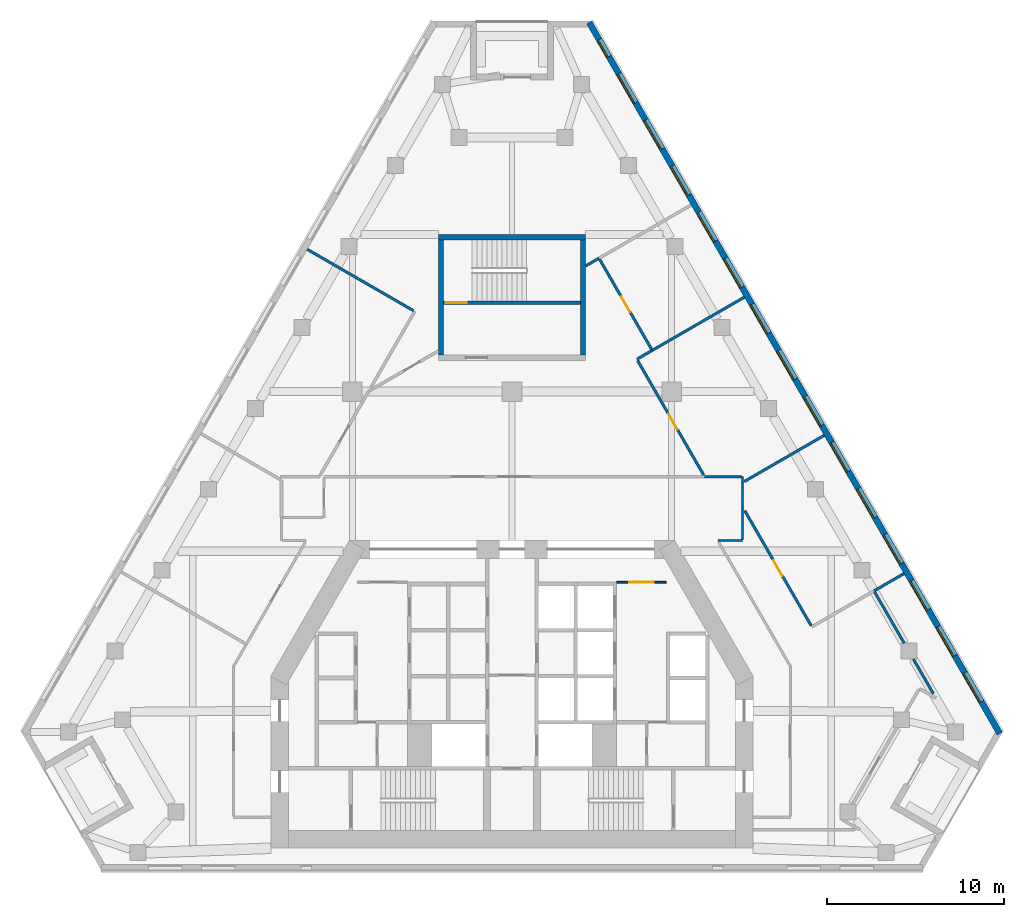
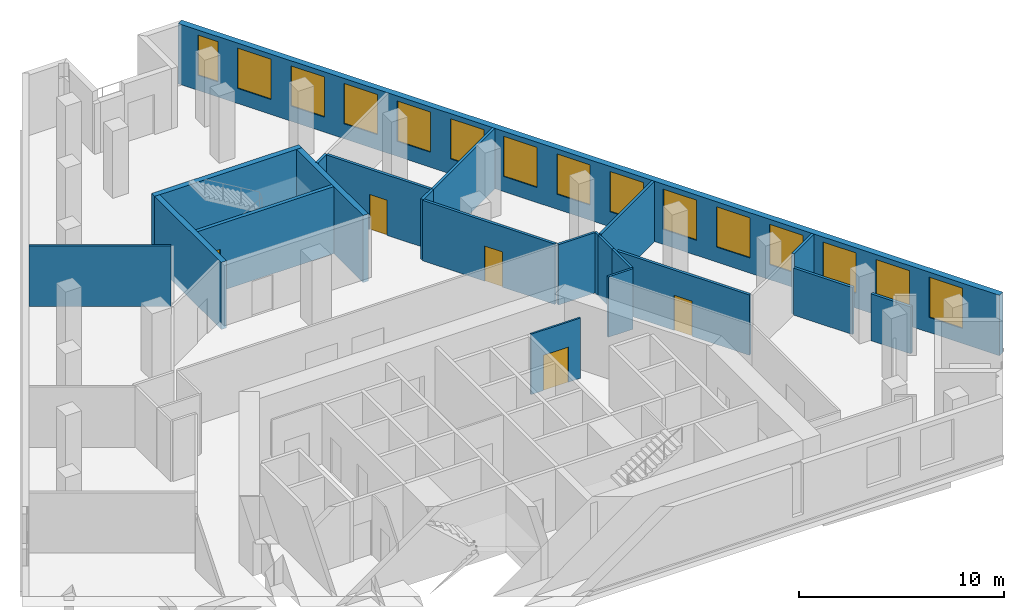
# One storey, part 7 of 9: 22 walls, 15 windows, 5 doors, 20 openings.
"""IFC4 building model written with IfcOpenShell, lengths in metres."""

from ifc_helpers import new_model, si_unit, direction, frame, frame_2d, origin, place, context, subcontext, project, spatial, rectangle, extrude, material, layer, layer_set, type_object, element, fill, save


model = new_model("IFC4")

# Units and contexts
model_context = context("Model", 3, precision=1e-05, world=origin(), true_north=direction((0.0, 1.0)))
body_context = subcontext(model_context, "Body", "Model", "MODEL_VIEW")
ifc_project = project(units=[si_unit("LENGTHUNIT", "METRE"), si_unit("AREAUNIT", "SQUARE_METRE"), si_unit("VOLUMEUNIT", "CUBIC_METRE"), si_unit("PLANEANGLEUNIT", "RADIAN"), si_unit("MASSUNIT", "GRAM", prefix="KILO")], contexts=[model_context])

# Site, building, storey
site_placement = place(None, origin())
site = spatial("IfcSite", under=ifc_project, at=site_placement, CompositionType="ELEMENT")
building_placement = place(site_placement, origin())
building = spatial("IfcBuilding", under=site, at=building_placement, Name="Fogline Exchange Tower", CompositionType="ELEMENT")
storey_placement = place(building_placement, frame((0.0, 0.0, 198.10009765625)))
storey = spatial("IfcBuildingStorey", under=building, at=storey_placement, Name="L44", CompositionType="ELEMENT", Elevation=198.10009765625)

# Wall, opening, door
ifc_material_1 = material(Name="Blockwork partition", Category="masonry")
ifc_layer_1 = layer(ifc_material_1, 0.10009765625)
ifc_layer_set_1 = layer_set([ifc_layer_1], Name="CW10")
wall_type_1 = type_object("IfcWallType", Name="CW10", PredefinedType="PARTITIONING", material=ifc_layer_set_1)
wall_1_placement = place(storey_placement, frame((5.89990234375, 16.25, 0.0), z_axis=(0.0, 0.0, 1.0), x_axis=(1.0, 0.0, 0.0)))
wall_1 = element("IfcWall", 1, at=wall_1_placement, inside=storey, type_object=wall_type_1, Name="Lift lobby partition", PredefinedType="PARTITIONING", context=body_context, shape_type="SweptSolid", body=[
    extrude(rectangle(XDim=2.800048828125, YDim=0.10009765625, at=frame_2d((1.39990234375, 0.0))), origin(), (0.0, 0.0, 1.0), 3.599853515625),
])
opening_1_placement = place(wall_1_placement, frame((0.699951171875, 0.0, 0.0)))
opening_1 = element("IfcOpeningElement", 2, at=opening_1_placement, cuts=wall_1, Name="Opening T14-C017", PredefinedType="OPENING", context=body_context, shape_type="SweptSolid", body=[
    extrude(rectangle(XDim=1.39990234375, YDim=2.10009765625, at=frame_2d((0.699951171875, 1.050048828125))), frame((0.0, 0.06005859375, 0.0), z_axis=(0.0, -1.0, 0.0), x_axis=(1.0, 0.0, 0.0)), (0.0, 0.0, 1.0), 0.1201171875),
])
ifc_material_2 = material(Name="Steel and timber fire door", Category="steel")
door_type_1 = type_object("IfcDoorType", Name="D-LB1", OperationType="DOUBLE_DOOR_SINGLE_SWING", PredefinedType="DOOR", material=ifc_material_2)
door_1_placement = place(opening_1_placement, origin())
door_1 = element("IfcDoor", 3, at=door_1_placement, inside=storey, type_object=door_type_1, Name="Door to lift lobby", OperationType="DOUBLE_DOOR_SINGLE_SWING", OverallHeight=2.10009765625, OverallWidth=1.39990234375, PredefinedType="DOOR", context=body_context, shape_type="SweptSolid", body=[
    extrude(rectangle(XDim=1.39990234375, YDim=2.10009765625, at=frame_2d((0.699951171875, 1.050048828125))), frame((0.0, 0.02490234375, 0.0), z_axis=(0.0, -1.0, 0.0), x_axis=(1.0, 0.0, 0.0)), (0.0, 0.0, 1.0), 0.050048828125),
])
fill(opening_1, door_1)

ifc_material_3 = material(Name="Concrete C40", Category="concrete")
ifc_layer_2 = layer(ifc_material_3, 0.199951171875)
ifc_layer_set_2 = layer_set([ifc_layer_2], Name="CW20R")
wall_type_2 = type_object("IfcWallType", Name="CW20R", PredefinedType="SOLIDWALL", material=ifc_layer_set_2)
wall_2_placement = place(storey_placement, frame((-3.85009765625, 32.007080078125, -0.400146484375), z_axis=(0.0, 0.0, 1.0), x_axis=(1.0, 0.0, 0.0)))
wall_2 = element("IfcWall", 4, at=wall_2_placement, inside=storey, type_object=wall_type_2, Name="Stair enclosure wall ST3", PredefinedType="SOLIDWALL", context=body_context, shape_type="SweptSolid", body=[
    extrude(rectangle(XDim=7.7001953125, YDim=0.199951171875, at=frame_2d((3.85009765625, 0.0))), origin(), (0.0, 0.0, 1.0), 4.0),
])
opening_2_placement = place(wall_2_placement, frame((0.10009765625, 0.0, 0.39990234375)))
opening_2 = element("IfcOpeningElement", 5, at=opening_2_placement, cuts=wall_2, Name="Opening T14-C028", PredefinedType="OPENING", context=body_context, shape_type="SweptSolid", body=[
    extrude(rectangle(XDim=1.199951171875, YDim=2.10009765625, at=frame_2d((0.60009765625, 1.050048828125))), frame((0.0, 0.10986328125, 0.0), z_axis=(0.0, -1.0, 0.0), x_axis=(1.0, 0.0, 0.0)), (0.0, 0.0, 1.0), 0.219970703125),
])
door_type_2 = type_object("IfcDoorType", Name="D-ST1", OperationType="SINGLE_SWING_LEFT", PredefinedType="DOOR", material=ifc_material_2)
door_2_placement = place(opening_2_placement, origin())
door_2 = element("IfcDoor", 6, at=door_2_placement, inside=storey, type_object=door_type_2, Name="Stair door ST3", OperationType="SINGLE_SWING_LEFT", OverallHeight=2.10009765625, OverallWidth=1.199951171875, PredefinedType="DOOR", context=body_context, shape_type="SweptSolid", body=[
    extrude(rectangle(XDim=1.199951171875, YDim=2.10009765625, at=frame_2d((0.60009765625, 1.050048828125))), frame((0.0, 0.02490234375, 0.0), z_axis=(0.0, -1.0, 0.0), x_axis=(1.0, 0.0, 0.0)), (0.0, 0.0, 1.0), 0.050048828125),
])
fill(opening_2, door_2)

# Walls
ifc_layer_3 = layer(ifc_material_3, 0.300048828125)
ifc_layer_set_3 = layer_set([ifc_layer_3], Name="CW30")
wall_type_3 = type_object("IfcWallType", Name="CW30", PredefinedType="SOLIDWALL", material=ifc_layer_set_3)
wall_3_placement = place(storey_placement, frame((-4.14990234375, 35.70703125, -0.400146484375), z_axis=(0.0, 0.0, 1.0), x_axis=(1.0, 0.0, 0.0)))
element("IfcWall", 7, at=wall_3_placement, inside=storey, type_object=wall_type_3, Name="Stair enclosure wall ST3", PredefinedType="SOLIDWALL", context=body_context, shape_type="SweptSolid", body=[
    extrude(rectangle(XDim=8.2998046875, YDim=0.300048828125, at=frame_2d((4.14990234375, 0.0))), origin(), (0.0, 0.0, 1.0), 4.0),
])
for number, where, z_axis, x_axis, name in (
    (8, (-4.0, 29.056884765625, -0.400146484375), (0.0, 0.0, 1.0), (0.0, 1.0, 0.0), "Stair enclosure wall ST3"),
    (9, (4.0, 29.056884765625, -0.400146484375), (0.0, 0.0, 1.0), (0.0, 1.0, 0.0), "Stair enclosure wall ST3"),
):
    element("IfcWall", number, at=place(storey_placement, frame(where, z_axis=z_axis, x_axis=x_axis)), inside=storey, type_object=wall_type_3, Name=name, PredefinedType="SOLIDWALL", context=body_context, shape_type="SweptSolid", body=[
        extrude(rectangle(XDim=6.5, YDim=0.300048828125, at=frame_2d((3.25, 0.0))), origin(), (0.0, 0.0, 1.0), 4.0),
    ])

# Wall, openings, windows
ifc_material_4 = material(Name="Brick masonry", Category="masonry")
ifc_layer_4 = layer(ifc_material_4, 0.340087890625)
ifc_layer_set_4 = layer_set([ifc_layer_4], Name="FW1")
wall_type_4 = type_object("IfcWallType", Name="FW1", PredefinedType="SOLIDWALL", material=ifc_layer_set_4)
wall_4_placement = place(storey_placement, frame((27.51171875, 7.709228515625, 0.0), z_axis=(0.0, 0.0, 1.0), x_axis=(-0.500001386688, 0.866024603178, 0.0)))
wall_4 = element("IfcWall", 10, at=wall_4_placement, inside=storey, type_object=wall_type_4, Name="Brick wall L44 E", PredefinedType="SOLIDWALL", context=body_context, shape_type="SweptSolid", body=[
    extrude(rectangle(XDim=46.317626953125, YDim=0.340087890625, at=frame_2d((23.15869140625, 0.0))), origin(), (0.0, 0.0, 1.0), 3.599853515625),
])
opening_3_placement = place(wall_4_placement, frame((2.079345703125, 0.0, 0.89990234375)))
opening_3 = element("IfcOpeningElement", 11, at=opening_3_placement, cuts=wall_4, Name="Opening W1", PredefinedType="OPENING", context=body_context, shape_type="SweptSolid", body=[
    extrude(rectangle(XDim=1.885009765625, YDim=2.39990234375, at=frame_2d((0.9423828125, 1.199951171875))), frame((0.0, 0.18017578125, 0.0), z_axis=(0.0, -1.0, 0.0), x_axis=(1.0, 0.0, 0.0)), (0.0, 0.0, 1.0), 0.360107421875),
])
opening_4_placement = place(wall_4_placement, frame((5.079345703125, 0.0, 0.89990234375)))
opening_4 = element("IfcOpeningElement", 12, at=opening_4_placement, cuts=wall_4, Name="Opening W1", PredefinedType="OPENING", context=body_context, shape_type="SweptSolid", body=[
    extrude(rectangle(XDim=1.885009765625, YDim=2.39990234375, at=frame_2d((0.9423828125, 1.199951171875))), frame((0.0, 0.18017578125, 0.0), z_axis=(0.0, -1.0, 0.0), x_axis=(1.0, 0.0, 0.0)), (0.0, 0.0, 1.0), 0.360107421875),
])
opening_5_placement = place(wall_4_placement, frame((8.079345703125, 0.0, 0.89990234375)))
opening_5 = element("IfcOpeningElement", 13, at=opening_5_placement, cuts=wall_4, Name="Opening W1", PredefinedType="OPENING", context=body_context, shape_type="SweptSolid", body=[
    extrude(rectangle(XDim=1.885009765625, YDim=2.39990234375, at=frame_2d((0.9423828125, 1.199951171875))), frame((0.0, 0.18017578125, 0.0), z_axis=(0.0, -1.0, 0.0), x_axis=(1.0, 0.0, 0.0)), (0.0, 0.0, 1.0), 0.360107421875),
])
opening_6_placement = place(wall_4_placement, frame((11.079345703125, 0.0, 0.89990234375)))
opening_6 = element("IfcOpeningElement", 14, at=opening_6_placement, cuts=wall_4, Name="Opening W1", PredefinedType="OPENING", context=body_context, shape_type="SweptSolid", body=[
    extrude(rectangle(XDim=1.885009765625, YDim=2.39990234375, at=frame_2d((0.9423828125, 1.199951171875))), frame((0.0, 0.18017578125, 0.0), z_axis=(0.0, -1.0, 0.0), x_axis=(1.0, 0.0, 0.0)), (0.0, 0.0, 1.0), 0.360107421875),
])
opening_7_placement = place(wall_4_placement, frame((14.079345703125, 0.0, 0.89990234375)))
opening_7 = element("IfcOpeningElement", 15, at=opening_7_placement, cuts=wall_4, Name="Opening W1", PredefinedType="OPENING", context=body_context, shape_type="SweptSolid", body=[
    extrude(rectangle(XDim=1.885009765625, YDim=2.39990234375, at=frame_2d((0.9423828125, 1.199951171875))), frame((0.0, 0.18017578125, 0.0), z_axis=(0.0, -1.0, 0.0), x_axis=(1.0, 0.0, 0.0)), (0.0, 0.0, 1.0), 0.360107421875),
])
opening_8_placement = place(wall_4_placement, frame((17.079345703125, 0.0, 0.89990234375)))
opening_8 = element("IfcOpeningElement", 16, at=opening_8_placement, cuts=wall_4, Name="Opening W1", PredefinedType="OPENING", context=body_context, shape_type="SweptSolid", body=[
    extrude(rectangle(XDim=1.885009765625, YDim=2.39990234375, at=frame_2d((0.9423828125, 1.199951171875))), frame((0.0, 0.18017578125, 0.0), z_axis=(0.0, -1.0, 0.0), x_axis=(1.0, 0.0, 0.0)), (0.0, 0.0, 1.0), 0.360107421875),
])
opening_9_placement = place(wall_4_placement, frame((20.079345703125, 0.0, 0.89990234375)))
opening_9 = element("IfcOpeningElement", 17, at=opening_9_placement, cuts=wall_4, Name="Opening W1", PredefinedType="OPENING", context=body_context, shape_type="SweptSolid", body=[
    extrude(rectangle(XDim=1.885009765625, YDim=2.39990234375, at=frame_2d((0.9423828125, 1.199951171875))), frame((0.0, 0.18017578125, 0.0), z_axis=(0.0, -1.0, 0.0), x_axis=(1.0, 0.0, 0.0)), (0.0, 0.0, 1.0), 0.360107421875),
])
opening_10_placement = place(wall_4_placement, frame((23.079345703125, 0.0, 0.89990234375)))
opening_10 = element("IfcOpeningElement", 18, at=opening_10_placement, cuts=wall_4, Name="Opening W1", PredefinedType="OPENING", context=body_context, shape_type="SweptSolid", body=[
    extrude(rectangle(XDim=1.885009765625, YDim=2.39990234375, at=frame_2d((0.9423828125, 1.199951171875))), frame((0.0, 0.18017578125, 0.0), z_axis=(0.0, -1.0, 0.0), x_axis=(1.0, 0.0, 0.0)), (0.0, 0.0, 1.0), 0.360107421875),
])
opening_11_placement = place(wall_4_placement, frame((26.079345703125, 0.0, 0.89990234375)))
opening_11 = element("IfcOpeningElement", 19, at=opening_11_placement, cuts=wall_4, Name="Opening W1", PredefinedType="OPENING", context=body_context, shape_type="SweptSolid", body=[
    extrude(rectangle(XDim=1.885009765625, YDim=2.39990234375, at=frame_2d((0.9423828125, 1.199951171875))), frame((0.0, 0.18017578125, 0.0), z_axis=(0.0, -1.0, 0.0), x_axis=(1.0, 0.0, 0.0)), (0.0, 0.0, 1.0), 0.360107421875),
])
opening_12_placement = place(wall_4_placement, frame((29.079345703125, 0.0, 0.89990234375)))
opening_12 = element("IfcOpeningElement", 20, at=opening_12_placement, cuts=wall_4, Name="Opening W1", PredefinedType="OPENING", context=body_context, shape_type="SweptSolid", body=[
    extrude(rectangle(XDim=1.885009765625, YDim=2.39990234375, at=frame_2d((0.9423828125, 1.199951171875))), frame((0.0, 0.18017578125, 0.0), z_axis=(0.0, -1.0, 0.0), x_axis=(1.0, 0.0, 0.0)), (0.0, 0.0, 1.0), 0.360107421875),
])
opening_13_placement = place(wall_4_placement, frame((32.079345703125, 0.0, 0.89990234375)))
opening_13 = element("IfcOpeningElement", 21, at=opening_13_placement, cuts=wall_4, Name="Opening W1", PredefinedType="OPENING", context=body_context, shape_type="SweptSolid", body=[
    extrude(rectangle(XDim=1.885009765625, YDim=2.39990234375, at=frame_2d((0.9423828125, 1.199951171875))), frame((0.0, 0.18017578125, 0.0), z_axis=(0.0, -1.0, 0.0), x_axis=(1.0, 0.0, 0.0)), (0.0, 0.0, 1.0), 0.360107421875),
])
opening_14_placement = place(wall_4_placement, frame((35.079345703125, 0.0, 0.89990234375)))
opening_14 = element("IfcOpeningElement", 22, at=opening_14_placement, cuts=wall_4, Name="Opening W1", PredefinedType="OPENING", context=body_context, shape_type="SweptSolid", body=[
    extrude(rectangle(XDim=1.885009765625, YDim=2.39990234375, at=frame_2d((0.9423828125, 1.199951171875))), frame((0.0, 0.18017578125, 0.0), z_axis=(0.0, -1.0, 0.0), x_axis=(1.0, 0.0, 0.0)), (0.0, 0.0, 1.0), 0.360107421875),
])
opening_15_placement = place(wall_4_placement, frame((38.079345703125, 0.0, 0.89990234375)))
opening_15 = element("IfcOpeningElement", 23, at=opening_15_placement, cuts=wall_4, Name="Opening W1", PredefinedType="OPENING", context=body_context, shape_type="SweptSolid", body=[
    extrude(rectangle(XDim=1.885009765625, YDim=2.39990234375, at=frame_2d((0.9423828125, 1.199951171875))), frame((0.0, 0.18017578125, 0.0), z_axis=(0.0, -1.0, 0.0), x_axis=(1.0, 0.0, 0.0)), (0.0, 0.0, 1.0), 0.360107421875),
])
opening_16_placement = place(wall_4_placement, frame((41.079345703125, 0.0, 0.89990234375)))
opening_16 = element("IfcOpeningElement", 24, at=opening_16_placement, cuts=wall_4, Name="Opening W1", PredefinedType="OPENING", context=body_context, shape_type="SweptSolid", body=[
    extrude(rectangle(XDim=1.885009765625, YDim=2.39990234375, at=frame_2d((0.9423828125, 1.199951171875))), frame((0.0, 0.18017578125, 0.0), z_axis=(0.0, -1.0, 0.0), x_axis=(1.0, 0.0, 0.0)), (0.0, 0.0, 1.0), 0.360107421875),
])
opening_17_placement = place(wall_4_placement, frame((44.083740234375, 0.0, 0.89990234375)))
opening_17 = element("IfcOpeningElement", 25, at=opening_17_placement, cuts=wall_4, Name="Opening W4", PredefinedType="OPENING", context=body_context, shape_type="SweptSolid", body=[
    extrude(rectangle(XDim=1.114990234375, YDim=2.39990234375, at=frame_2d((0.5576171875, 1.199951171875))), frame((0.0, 0.18017578125, 0.0), z_axis=(0.0, -1.0, 0.0), x_axis=(1.0, 0.0, 0.0)), (0.0, 0.0, 1.0), 0.360107421875),
])
ifc_material_5 = material(Name="Aluminium and glass", Category="aluminium")
window_type_1 = type_object("IfcWindowType", Name="W1", PartitioningType="SINGLE_PANEL", PredefinedType="WINDOW", material=ifc_material_5)
window_1_placement = place(opening_3_placement, origin())
window_1 = element("IfcWindow", 26, at=window_1_placement, inside=storey, type_object=window_type_1, Name="W1 W1", OverallHeight=2.39990234375, OverallWidth=1.885009765625, PartitioningType="SINGLE_PANEL", PredefinedType="WINDOW", context=body_context, shape_type="SweptSolid", body=[
    extrude(rectangle(XDim=1.885009765625, YDim=2.39990234375, at=frame_2d((0.9423828125, 1.199951171875))), frame((0.0, 0.110107421875, 0.0), z_axis=(0.0, -1.0, 0.0), x_axis=(1.0, 0.0, 0.0)), (0.0, 0.0, 1.0), 0.06005859375),
])
fill(opening_3, window_1)
window_2_placement = place(opening_4_placement, origin())
window_2 = element("IfcWindow", 27, at=window_2_placement, inside=storey, type_object=window_type_1, Name="W1 W1", OverallHeight=2.39990234375, OverallWidth=1.885009765625, PartitioningType="SINGLE_PANEL", PredefinedType="WINDOW", context=body_context, shape_type="SweptSolid", body=[
    extrude(rectangle(XDim=1.885009765625, YDim=2.39990234375, at=frame_2d((0.9423828125, 1.199951171875))), frame((0.0, 0.110107421875, 0.0), z_axis=(0.0, -1.0, 0.0), x_axis=(1.0, 0.0, 0.0)), (0.0, 0.0, 1.0), 0.06005859375),
])
fill(opening_4, window_2)
window_3_placement = place(opening_5_placement, origin())
window_3 = element("IfcWindow", 28, at=window_3_placement, inside=storey, type_object=window_type_1, Name="W1 W1", OverallHeight=2.39990234375, OverallWidth=1.885009765625, PartitioningType="SINGLE_PANEL", PredefinedType="WINDOW", context=body_context, shape_type="SweptSolid", body=[
    extrude(rectangle(XDim=1.885009765625, YDim=2.39990234375, at=frame_2d((0.9423828125, 1.199951171875))), frame((0.0, 0.110107421875, 0.0), z_axis=(0.0, -1.0, 0.0), x_axis=(1.0, 0.0, 0.0)), (0.0, 0.0, 1.0), 0.06005859375),
])
fill(opening_5, window_3)
window_4_placement = place(opening_6_placement, origin())
window_4 = element("IfcWindow", 29, at=window_4_placement, inside=storey, type_object=window_type_1, Name="W1 W1", OverallHeight=2.39990234375, OverallWidth=1.885009765625, PartitioningType="SINGLE_PANEL", PredefinedType="WINDOW", context=body_context, shape_type="SweptSolid", body=[
    extrude(rectangle(XDim=1.885009765625, YDim=2.39990234375, at=frame_2d((0.9423828125, 1.199951171875))), frame((0.0, 0.110107421875, 0.0), z_axis=(0.0, -1.0, 0.0), x_axis=(1.0, 0.0, 0.0)), (0.0, 0.0, 1.0), 0.06005859375),
])
fill(opening_6, window_4)
window_5_placement = place(opening_7_placement, origin())
window_5 = element("IfcWindow", 30, at=window_5_placement, inside=storey, type_object=window_type_1, Name="W1 W1", OverallHeight=2.39990234375, OverallWidth=1.885009765625, PartitioningType="SINGLE_PANEL", PredefinedType="WINDOW", context=body_context, shape_type="SweptSolid", body=[
    extrude(rectangle(XDim=1.885009765625, YDim=2.39990234375, at=frame_2d((0.9423828125, 1.199951171875))), frame((0.0, 0.110107421875, 0.0), z_axis=(0.0, -1.0, 0.0), x_axis=(1.0, 0.0, 0.0)), (0.0, 0.0, 1.0), 0.06005859375),
])
fill(opening_7, window_5)
window_6_placement = place(opening_8_placement, origin())
window_6 = element("IfcWindow", 31, at=window_6_placement, inside=storey, type_object=window_type_1, Name="W1 W1", OverallHeight=2.39990234375, OverallWidth=1.885009765625, PartitioningType="SINGLE_PANEL", PredefinedType="WINDOW", context=body_context, shape_type="SweptSolid", body=[
    extrude(rectangle(XDim=1.885009765625, YDim=2.39990234375, at=frame_2d((0.9423828125, 1.199951171875))), frame((0.0, 0.110107421875, 0.0), z_axis=(0.0, -1.0, 0.0), x_axis=(1.0, 0.0, 0.0)), (0.0, 0.0, 1.0), 0.06005859375),
])
fill(opening_8, window_6)
window_7_placement = place(opening_9_placement, origin())
window_7 = element("IfcWindow", 32, at=window_7_placement, inside=storey, type_object=window_type_1, Name="W1 W1", OverallHeight=2.39990234375, OverallWidth=1.885009765625, PartitioningType="SINGLE_PANEL", PredefinedType="WINDOW", context=body_context, shape_type="SweptSolid", body=[
    extrude(rectangle(XDim=1.885009765625, YDim=2.39990234375, at=frame_2d((0.9423828125, 1.199951171875))), frame((0.0, 0.110107421875, 0.0), z_axis=(0.0, -1.0, 0.0), x_axis=(1.0, 0.0, 0.0)), (0.0, 0.0, 1.0), 0.06005859375),
])
fill(opening_9, window_7)
window_8_placement = place(opening_10_placement, origin())
window_8 = element("IfcWindow", 33, at=window_8_placement, inside=storey, type_object=window_type_1, Name="W1 W1", OverallHeight=2.39990234375, OverallWidth=1.885009765625, PartitioningType="SINGLE_PANEL", PredefinedType="WINDOW", context=body_context, shape_type="SweptSolid", body=[
    extrude(rectangle(XDim=1.885009765625, YDim=2.39990234375, at=frame_2d((0.9423828125, 1.199951171875))), frame((0.0, 0.110107421875, 0.0), z_axis=(0.0, -1.0, 0.0), x_axis=(1.0, 0.0, 0.0)), (0.0, 0.0, 1.0), 0.06005859375),
])
fill(opening_10, window_8)
window_9_placement = place(opening_11_placement, origin())
window_9 = element("IfcWindow", 34, at=window_9_placement, inside=storey, type_object=window_type_1, Name="W1 W1", OverallHeight=2.39990234375, OverallWidth=1.885009765625, PartitioningType="SINGLE_PANEL", PredefinedType="WINDOW", context=body_context, shape_type="SweptSolid", body=[
    extrude(rectangle(XDim=1.885009765625, YDim=2.39990234375, at=frame_2d((0.9423828125, 1.199951171875))), frame((0.0, 0.110107421875, 0.0), z_axis=(0.0, -1.0, 0.0), x_axis=(1.0, 0.0, 0.0)), (0.0, 0.0, 1.0), 0.06005859375),
])
fill(opening_11, window_9)
window_10_placement = place(opening_12_placement, origin())
window_10 = element("IfcWindow", 35, at=window_10_placement, inside=storey, type_object=window_type_1, Name="W1 W1", OverallHeight=2.39990234375, OverallWidth=1.885009765625, PartitioningType="SINGLE_PANEL", PredefinedType="WINDOW", context=body_context, shape_type="SweptSolid", body=[
    extrude(rectangle(XDim=1.885009765625, YDim=2.39990234375, at=frame_2d((0.9423828125, 1.199951171875))), frame((0.0, 0.110107421875, 0.0), z_axis=(0.0, -1.0, 0.0), x_axis=(1.0, 0.0, 0.0)), (0.0, 0.0, 1.0), 0.06005859375),
])
fill(opening_12, window_10)
window_11_placement = place(opening_13_placement, origin())
window_11 = element("IfcWindow", 36, at=window_11_placement, inside=storey, type_object=window_type_1, Name="W1 W1", OverallHeight=2.39990234375, OverallWidth=1.885009765625, PartitioningType="SINGLE_PANEL", PredefinedType="WINDOW", context=body_context, shape_type="SweptSolid", body=[
    extrude(rectangle(XDim=1.885009765625, YDim=2.39990234375, at=frame_2d((0.9423828125, 1.199951171875))), frame((0.0, 0.110107421875, 0.0), z_axis=(0.0, -1.0, 0.0), x_axis=(1.0, 0.0, 0.0)), (0.0, 0.0, 1.0), 0.06005859375),
])
fill(opening_13, window_11)
window_12_placement = place(opening_14_placement, origin())
window_12 = element("IfcWindow", 37, at=window_12_placement, inside=storey, type_object=window_type_1, Name="W1 W1", OverallHeight=2.39990234375, OverallWidth=1.885009765625, PartitioningType="SINGLE_PANEL", PredefinedType="WINDOW", context=body_context, shape_type="SweptSolid", body=[
    extrude(rectangle(XDim=1.885009765625, YDim=2.39990234375, at=frame_2d((0.9423828125, 1.199951171875))), frame((0.0, 0.110107421875, 0.0), z_axis=(0.0, -1.0, 0.0), x_axis=(1.0, 0.0, 0.0)), (0.0, 0.0, 1.0), 0.06005859375),
])
fill(opening_14, window_12)
window_13_placement = place(opening_15_placement, origin())
window_13 = element("IfcWindow", 38, at=window_13_placement, inside=storey, type_object=window_type_1, Name="W1 W1", OverallHeight=2.39990234375, OverallWidth=1.885009765625, PartitioningType="SINGLE_PANEL", PredefinedType="WINDOW", context=body_context, shape_type="SweptSolid", body=[
    extrude(rectangle(XDim=1.885009765625, YDim=2.39990234375, at=frame_2d((0.9423828125, 1.199951171875))), frame((0.0, 0.110107421875, 0.0), z_axis=(0.0, -1.0, 0.0), x_axis=(1.0, 0.0, 0.0)), (0.0, 0.0, 1.0), 0.06005859375),
])
fill(opening_15, window_13)
window_14_placement = place(opening_16_placement, origin())
window_14 = element("IfcWindow", 39, at=window_14_placement, inside=storey, type_object=window_type_1, Name="W1 W1", OverallHeight=2.39990234375, OverallWidth=1.885009765625, PartitioningType="SINGLE_PANEL", PredefinedType="WINDOW", context=body_context, shape_type="SweptSolid", body=[
    extrude(rectangle(XDim=1.885009765625, YDim=2.39990234375, at=frame_2d((0.9423828125, 1.199951171875))), frame((0.0, 0.110107421875, 0.0), z_axis=(0.0, -1.0, 0.0), x_axis=(1.0, 0.0, 0.0)), (0.0, 0.0, 1.0), 0.06005859375),
])
fill(opening_16, window_14)
window_type_2 = type_object("IfcWindowType", Name="W4", PartitioningType="SINGLE_PANEL", PredefinedType="WINDOW", material=ifc_material_5)
window_15_placement = place(opening_17_placement, origin())
window_15 = element("IfcWindow", 40, at=window_15_placement, inside=storey, type_object=window_type_2, Name="W4 W4", OverallHeight=2.39990234375, OverallWidth=1.114990234375, PartitioningType="SINGLE_PANEL", PredefinedType="WINDOW", context=body_context, shape_type="SweptSolid", body=[
    extrude(rectangle(XDim=1.114990234375, YDim=2.39990234375, at=frame_2d((0.5576171875, 1.199951171875))), frame((0.0, 0.110107421875, 0.0), z_axis=(0.0, -1.0, 0.0), x_axis=(1.0, 0.0, 0.0)), (0.0, 0.0, 1.0), 0.06005859375),
])
fill(opening_17, window_15)

# Walls
ifc_material_6 = material(Name="Plasterboard corridor partition with mineral wool, 2 layers each side")
ifc_layer_5 = layer(ifc_material_6, 0.125)
ifc_layer_set_5 = layer_set([ifc_layer_5], Name="PW2")
wall_type_5 = type_object("IfcWallType", Name="PW2", PredefinedType="PARTITIONING", material=ifc_layer_set_5)
wall_5_placement = place(storey_placement, frame((13.0, 21.872802734375, 0.0), z_axis=(0.0, 0.0, 1.0), x_axis=(0.0, -1.0, 0.0)))
element("IfcWall", 41, at=wall_5_placement, inside=storey, type_object=wall_type_5, Name="wall-L44-W004", PredefinedType="PARTITIONING", context=body_context, shape_type="SweptSolid", body=[
    extrude(rectangle(XDim=1.36865234375, YDim=0.125, at=frame_2d((0.684326171875, 0.0))), origin(), (0.0, 0.0, 1.0), 3.599853515625),
])
wall_6_placement = place(storey_placement, frame((10.8662109375, 22.199951171875, 0.0), z_axis=(0.0, 0.0, 1.0), x_axis=(1.0, 0.0, 0.0)))
element("IfcWall", 42, at=wall_6_placement, inside=storey, type_object=wall_type_5, Name="wall-L44-W005", PredefinedType="PARTITIONING", context=body_context, shape_type="SweptSolid", body=[
    extrude(rectangle(XDim=2.0712890625, YDim=0.125, at=frame_2d((1.03564453125, 0.0))), origin(), (0.0, 0.0, 1.0), 3.599853515625),
])
wall_7_placement = place(storey_placement, frame((13.0, 22.199951171875, 0.0), z_axis=(0.0, 0.0, 1.0), x_axis=(0.0, -1.0, 0.0)))
element("IfcWall", 43, at=wall_7_placement, inside=storey, type_object=wall_type_5, Name="wall-L44-W006", PredefinedType="PARTITIONING", context=body_context, shape_type="SweptSolid", body=[
    extrude(rectangle(XDim=0.3271484375, YDim=0.125, at=frame_2d((0.16357421875, 0.0))), origin(), (0.0, 0.0, 1.0), 3.599853515625),
])
wall_8_placement = place(storey_placement, frame((13.0, 20.504150390625, 0.0), z_axis=(0.0, 0.0, 1.0), x_axis=(0.0, -1.0, 0.0)))
element("IfcWall", 44, at=wall_8_placement, inside=storey, type_object=wall_type_5, Name="wall-L44-W012", PredefinedType="PARTITIONING", context=body_context, shape_type="SweptSolid", body=[
    extrude(rectangle(XDim=1.841552734375, YDim=0.125, at=frame_2d((0.9208984375, 0.0))), origin(), (0.0, 0.0, 1.0), 3.599853515625),
])
wall_9_placement = place(storey_placement, frame((13.0, 18.60009765625, 0.0), z_axis=(0.0, 0.0, 1.0), x_axis=(-1.0, 0.0, 0.0)))
element("IfcWall", 45, at=wall_9_placement, inside=storey, type_object=wall_type_5, Name="wall-L44-W013", PredefinedType="PARTITIONING", context=body_context, shape_type="SweptSolid", body=[
    extrude(rectangle(XDim=1.39453125, YDim=0.125, at=frame_2d((0.697265625, 0.0))), origin(), (0.0, 0.0, 1.0), 3.599853515625),
])
ifc_material_7 = material(Name="Plasterboard demising partition with mineral wool and acoustic board")
ifc_layer_6 = layer(ifc_material_7, 0.14990234375)
ifc_layer_set_6 = layer_set([ifc_layer_6], Name="PW3")
wall_type_6 = type_object("IfcWallType", Name="PW3", PredefinedType="PARTITIONING", material=ifc_layer_set_6)
wall_10_placement = place(storey_placement, frame((13.100341796875, 21.930908203125, 0.0), z_axis=(0.0, 0.0, 1.0), x_axis=(0.866029992723, 0.499992051641, 0.0)))
element("IfcWall", 46, at=wall_10_placement, inside=storey, type_object=wall_type_6, Name="wall-L44-W018", PredefinedType="PARTITIONING", context=body_context, shape_type="SweptSolid", body=[
    extrude(rectangle(XDim=5.19970703125, YDim=0.14990234375, at=frame_2d((2.599853515625, 0.0))), origin(), (0.0, 0.0, 1.0), 3.599853515625),
])
wall_11_placement = place(storey_placement, frame((22.103515625, 16.736572265625, 0.0), z_axis=(0.0, 0.0, 1.0), x_axis=(-0.866000020948, -0.500043961785, 0.0)))
element("IfcWall", 47, at=wall_11_placement, inside=storey, type_object=wall_type_6, Name="wall-L44-W019", PredefinedType="PARTITIONING", context=body_context, shape_type="SweptSolid", body=[
    extrude(rectangle(XDim=1.949951171875, YDim=0.14990234375, at=frame_2d((0.97509765625, 0.0))), origin(), (0.0, 0.0, 1.0), 3.599853515625),
])

# Wall, opening, door
wall_12_placement = place(storey_placement, frame((16.869873046875, 13.801513671875, 0.0), z_axis=(0.0, 0.0, 1.0), x_axis=(-0.499998231264, 0.866026424962, 0.0)))
wall_12 = element("IfcWall", 48, at=wall_12_placement, inside=storey, type_object=wall_type_6, Name="wall-L44-W021", PredefinedType="PARTITIONING", context=body_context, shape_type="SweptSolid", body=[
    extrude(rectangle(XDim=7.484375, YDim=0.14990234375, at=frame_2d((3.7421875, 0.0))), origin(), (0.0, 0.0, 1.0), 3.599853515625),
])
opening_18_placement = place(wall_12_placement, frame((3.2421875, 0.0, 0.0)))
opening_18 = element("IfcOpeningElement", 49, at=opening_18_placement, cuts=wall_12, Name="Opening T14-D007", PredefinedType="OPENING", context=body_context, shape_type="SweptSolid", body=[
    extrude(rectangle(XDim=1.0, YDim=2.10009765625, at=frame_2d((0.5, 1.050048828125))), frame((0.0, 0.0849609375, 0.0), z_axis=(0.0, -1.0, 0.0), x_axis=(1.0, 0.0, 0.0)), (0.0, 0.0, 1.0), 0.169921875),
])
ifc_material_8 = material(Name="Fire-rated timber door leaf with steel frame", Category="steel")
door_type_3 = type_object("IfcDoorType", Name="D3", OperationType="SINGLE_SWING_LEFT", PredefinedType="DOOR", material=ifc_material_8)
door_3_placement = place(opening_18_placement, frame((1.0, 0.0, 0.0), z_axis=(0.0, 0.0, 1.0), x_axis=(-1.0, 0.0, 0.0)))
door_3 = element("IfcDoor", 50, at=door_3_placement, inside=storey, type_object=door_type_3, Name="door-L44-D007", OperationType="SINGLE_SWING_RIGHT", OverallHeight=2.10009765625, OverallWidth=1.0, PredefinedType="DOOR", context=body_context, shape_type="SweptSolid", body=[
    extrude(rectangle(XDim=1.0, YDim=2.10009765625, at=frame_2d((0.5, 1.050048828125))), frame((0.0, 0.02490234375, 0.0), z_axis=(0.0, -1.0, 0.0), x_axis=(1.0, 0.0, 0.0)), (0.0, 0.0, 1.0), 0.050048828125),
])
fill(opening_18, door_3)

# Wall
wall_13_placement = place(storey_placement, frame((7.9072265625, 29.324951171875, 0.0), z_axis=(0.0, 0.0, 1.0), x_axis=(0.866031096941, 0.499990139034, 0.0)))
element("IfcWall", 51, at=wall_13_placement, inside=storey, type_object=wall_type_6, Name="wall-L44-W022", PredefinedType="PARTITIONING", context=body_context, shape_type="SweptSolid", body=[
    extrude(rectangle(XDim=6.0, YDim=0.14990234375, at=frame_2d((3.0, 0.0))), origin(), (0.0, 0.0, 1.0), 3.599853515625),
])

# Wall, opening, door
wall_14_placement = place(storey_placement, frame((10.80810546875, 22.30029296875, 0.0), z_axis=(0.0, 0.0, 1.0), x_axis=(-0.499972731866, 0.866041146477, 0.0)))
wall_14 = element("IfcWall", 52, at=wall_14_placement, inside=storey, type_object=wall_type_6, Name="wall-L44-W023", PredefinedType="PARTITIONING", context=body_context, shape_type="SweptSolid", body=[
    extrude(rectangle(XDim=7.458984375, YDim=0.14990234375, at=frame_2d((3.7294921875, 0.0))), origin(), (0.0, 0.0, 1.0), 3.599853515625),
])
opening_19_placement = place(wall_14_placement, frame((2.95849609375, 0.0, 0.0)))
opening_19 = element("IfcOpeningElement", 53, at=opening_19_placement, cuts=wall_14, Name="Opening T14-D008", PredefinedType="OPENING", context=body_context, shape_type="SweptSolid", body=[
    extrude(rectangle(XDim=1.0, YDim=2.10009765625, at=frame_2d((0.5, 1.050048828125))), frame((0.0, 0.0849609375, 0.0), z_axis=(0.0, -1.0, 0.0), x_axis=(1.0, 0.0, 0.0)), (0.0, 0.0, 1.0), 0.169921875),
])
door_4_placement = place(opening_19_placement, frame((1.0, 0.0, 0.0), z_axis=(0.0, 0.0, 1.0), x_axis=(-1.0, 0.0, 0.0)))
door_4 = element("IfcDoor", 54, at=door_4_placement, inside=storey, type_object=door_type_3, Name="door-L44-D008", OperationType="SINGLE_SWING_RIGHT", OverallHeight=2.10009765625, OverallWidth=1.0, PredefinedType="DOOR", context=body_context, shape_type="SweptSolid", body=[
    extrude(rectangle(XDim=1.0, YDim=2.10009765625, at=frame_2d((0.5, 1.050048828125))), frame((0.0, 0.02490234375, 0.0), z_axis=(0.0, -1.0, 0.0), x_axis=(1.0, 0.0, 0.0)), (0.0, 0.0, 1.0), 0.050048828125),
])
fill(opening_19, door_4)

# Wall
wall_15_placement = place(storey_placement, frame((7.041259765625, 28.824951171875, 0.0), z_axis=(0.0, 0.0, 1.0), x_axis=(0.866010750942, 0.50002537861, 0.0)))
element("IfcWall", 55, at=wall_15_placement, inside=storey, type_object=wall_type_6, Name="wall-L44-W024", PredefinedType="PARTITIONING", context=body_context, shape_type="SweptSolid", body=[
    extrude(rectangle(XDim=1.0, YDim=0.14990234375, at=frame_2d((0.5, 0.0))), origin(), (0.0, 0.0, 1.0), 3.599853515625),
])

# Wall, opening, door
wall_16_placement = place(storey_placement, frame((7.869873046875, 29.389892578125, 0.0), z_axis=(0.0, 0.0, 1.0), x_axis=(-0.500012662943, 0.866018092707, 0.0)))
wall_16 = element("IfcWall", 56, at=wall_16_placement, inside=storey, type_object=wall_type_6, Name="wall-L44-W025", PredefinedType="PARTITIONING", context=body_context, shape_type="SweptSolid", body=[
    extrude(rectangle(XDim=5.849853515625, YDim=0.14990234375, at=frame_2d((2.9248046875, 0.0))), origin(), (0.0, 0.0, 1.0), 3.599853515625),
])
opening_20_placement = place(wall_16_placement, frame((2.425048828125, 0.0, 0.0)))
opening_20 = element("IfcOpeningElement", 57, at=opening_20_placement, cuts=wall_16, Name="Opening T14-D009", PredefinedType="OPENING", context=body_context, shape_type="SweptSolid", body=[
    extrude(rectangle(XDim=1.0, YDim=2.10009765625, at=frame_2d((0.5, 1.050048828125))), frame((0.0, 0.0849609375, 0.0), z_axis=(0.0, -1.0, 0.0), x_axis=(1.0, 0.0, 0.0)), (0.0, 0.0, 1.0), 0.169921875),
])
door_5_placement = place(opening_20_placement, frame((1.0, 0.0, 0.0), z_axis=(0.0, 0.0, 1.0), x_axis=(-1.0, 0.0, 0.0)))
door_5 = element("IfcDoor", 58, at=door_5_placement, inside=storey, type_object=door_type_3, Name="door-L44-D009", OperationType="SINGLE_SWING_RIGHT", OverallHeight=2.10009765625, OverallWidth=1.0, PredefinedType="DOOR", context=body_context, shape_type="SweptSolid", body=[
    extrude(rectangle(XDim=1.0, YDim=2.10009765625, at=frame_2d((0.5, 1.050048828125))), frame((0.0, 0.02490234375, 0.0), z_axis=(0.0, -1.0, 0.0), x_axis=(1.0, 0.0, 0.0)), (0.0, 0.0, 1.0), 0.050048828125),
])
fill(opening_20, door_5)

# Walls
wall_17_placement = place(storey_placement, frame((4.14990234375, 34.083984375, 0.0), z_axis=(0.0, 0.0, 1.0), x_axis=(0.866139097356, 0.499803025231, 0.0)))
element("IfcWall", 59, at=wall_17_placement, inside=storey, type_object=wall_type_6, Name="wall-L44-W027", PredefinedType="PARTITIONING", context=body_context, shape_type="SweptSolid", body=[
    extrude(rectangle(XDim=0.874267578125, YDim=0.14990234375, at=frame_2d((0.43701171875, 0.0))), origin(), (0.0, 0.0, 1.0), 3.599853515625),
])
wall_18_placement = place(storey_placement, frame((-5.548828125, 31.56005859375, 0.0), z_axis=(0.0, 0.0, 1.0), x_axis=(-0.866010626124, 0.500025594786, 0.0)))
element("IfcWall", 60, at=wall_18_placement, inside=storey, type_object=wall_type_6, Name="wall-L44-W031", PredefinedType="PARTITIONING", context=body_context, shape_type="SweptSolid", body=[
    extrude(rectangle(XDim=6.925048828125, YDim=0.14990234375, at=frame_2d((3.46240234375, 0.0))), origin(), (0.0, 0.0, 1.0), 3.599853515625),
])
wall_19_placement = place(storey_placement, frame((23.76220703125, 9.96337890625, 0.0), z_axis=(0.0, 0.0, 1.0), x_axis=(-0.499957405522, 0.866049994321, 0.0)))
element("IfcWall", 61, at=wall_19_placement, inside=storey, type_object=wall_type_6, Name="wall-L44-W041", PredefinedType="PARTITIONING", context=body_context, shape_type="SweptSolid", body=[
    extrude(rectangle(XDim=2.248779296875, YDim=0.14990234375, at=frame_2d((1.12451171875, 0.0))), origin(), (0.0, 0.0, 1.0), 2.7998046875),
])
wall_20_placement = place(storey_placement, frame((22.118408203125, 12.810791015625, 0.0), z_axis=(0.0, 0.0, 1.0), x_axis=(-0.500039553057, 0.866002566612, 0.0)))
element("IfcWall", 62, at=wall_20_placement, inside=storey, type_object=wall_type_6, Name="wall-L44-W042", PredefinedType="PARTITIONING", context=body_context, shape_type="SweptSolid", body=[
    extrude(rectangle(XDim=3.332275390625, YDim=0.14990234375, at=frame_2d((1.666015625, 0.0))), origin(), (0.0, 0.0, 1.0), 2.7998046875),
])

save(model, "model.ifc")
